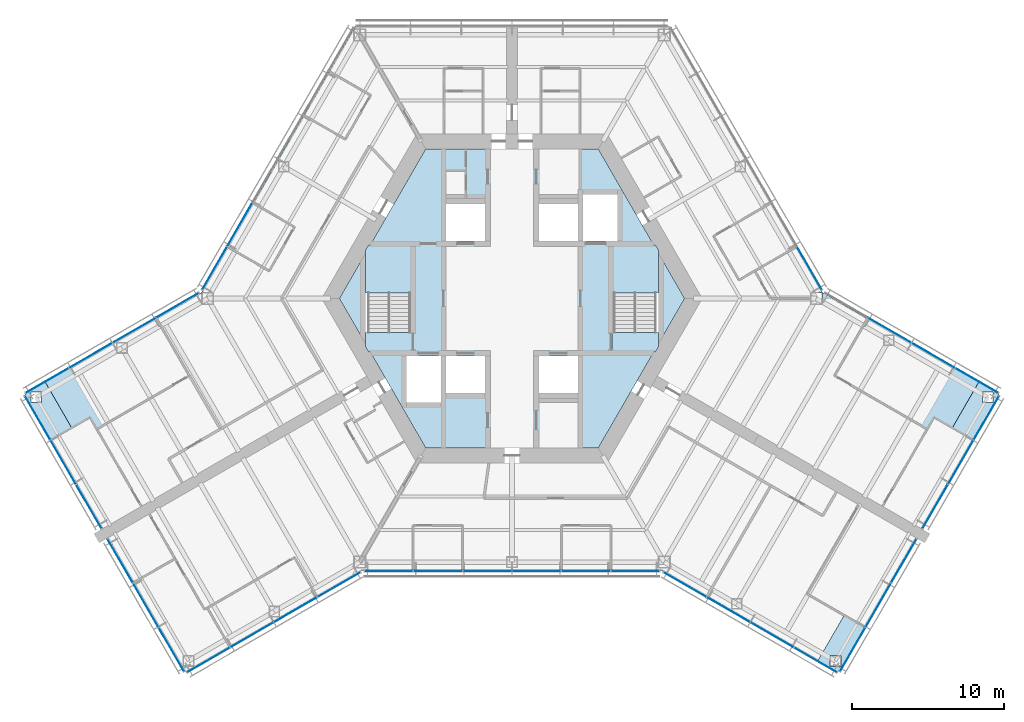
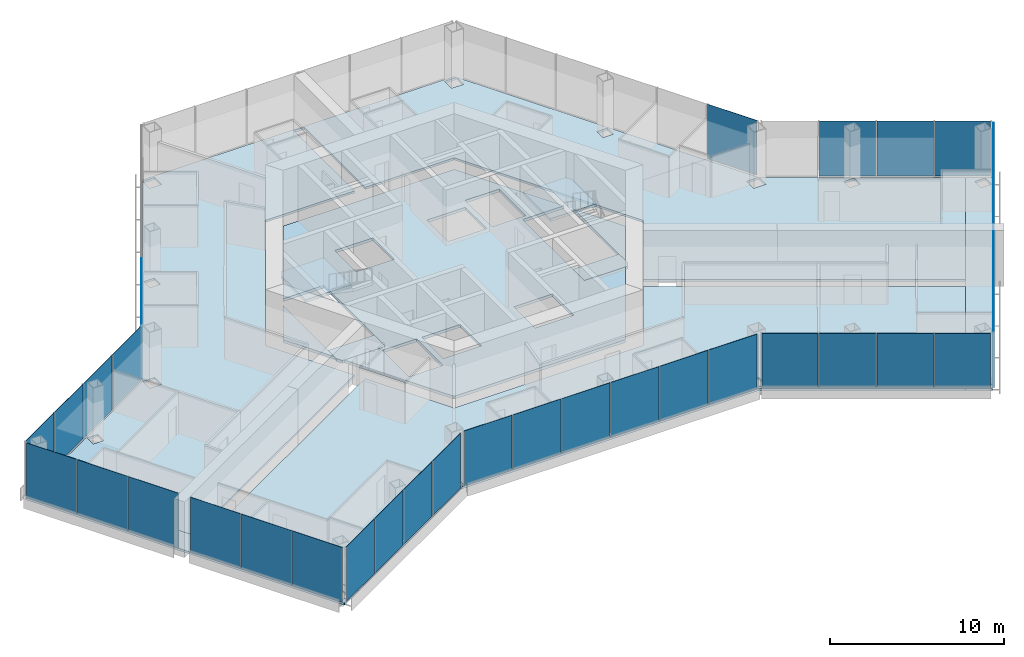
# One storey, part 10 of 18: 36 plates, 11 slabs, 13 elements without a shape of their own.
"""IFC4 building model written with IfcOpenShell, lengths in metres."""

from ifc_helpers import new_model, si_unit, direction, frame, origin, origin_2d, place, context, subcontext, project, spatial, polyline, rectangle, outline, extrude, material, layer, layer_set, type_object, element, aggregate, save


model = new_model("IFC4")

# Units and contexts
model_context = context("Model", 3, precision=1e-05, world=origin(), true_north=direction((0.0, 1.0)))
body_context = subcontext(model_context, "Body", "Model", "MODEL_VIEW")
ifc_project = project(units=[si_unit("LENGTHUNIT", "METRE"), si_unit("AREAUNIT", "SQUARE_METRE"), si_unit("VOLUMEUNIT", "CUBIC_METRE"), si_unit("PLANEANGLEUNIT", "RADIAN"), si_unit("MASSUNIT", "GRAM", prefix="KILO")], contexts=[model_context])

# Site, building, storey
site_placement = place(None, origin())
site = spatial("IfcSite", under=ifc_project, at=site_placement, CompositionType="ELEMENT")
building_placement = place(site_placement, origin())
building = spatial("IfcBuilding", under=site, at=building_placement, Name="Kasaneha Research Tower", CompositionType="ELEMENT")
storey_placement = place(building_placement, frame((0.0, 0.0, 183.800048828125)))
storey = spatial("IfcBuildingStorey", under=building, at=storey_placement, Name="L46", CompositionType="ELEMENT", Elevation=183.800048828125)

# Curtain wall, plates
ifc_material_1 = material(Name="Glass and aluminium", Category="aluminium")
curtain_wall_type = type_object("IfcCurtainWallType", Name="Mid-rise office curtain wall", PredefinedType="USERDEFINED", material=ifc_material_1)
curtain_wall_1_placement = place(storey_placement, origin())
curtain_wall_1 = element("IfcCurtainWall", 1, at=curtain_wall_1_placement, inside=storey, type_object=curtain_wall_type, Name="CW-O2 L46 run 01a", ObjectType="UNITISED CURTAIN WALL", PredefinedType="USERDEFINED")
ifc_material_2 = material(Name="Laminated double glazing", Category="glass")
ifc_layer_1 = layer(ifc_material_2, 0.02587890625)
ifc_layer_set_1 = layer_set([ifc_layer_1], Name="CW-O2 glazed panel")
plate_type = type_object("IfcPlateType", Name="CW-O2 glazed panel", PredefinedType="CURTAIN_PANEL", material=ifc_layer_set_1)
plate_1_placement = place(storey_placement, frame((-8.10107421875, -17.92041015625, 0.06005859375), z_axis=(0.0, 0.0, 1.0), x_axis=(1.0, 0.0, 0.0)))
plate_1 = element("IfcPlate", 2, at=plate_1_placement, type_object=plate_type, Name="CW-O2 panel 1", PredefinedType="CURTAIN_PANEL", context=body_context, shape_type="SweptSolid", body=[
    extrude(rectangle(XDim=3.156494140625, YDim=0.02587890625, at=origin_2d()), origin(), (0.0, 0.0, 1.0), 3.840087890625),
])
plate_2_placement = place(storey_placement, frame((-4.86962890625, -17.92041015625, 0.06005859375), z_axis=(0.0, 0.0, 1.0), x_axis=(1.0, 0.0, 0.0)))
plate_2 = element("IfcPlate", 3, at=plate_2_placement, type_object=plate_type, Name="CW-O2 panel 2", PredefinedType="CURTAIN_PANEL", context=body_context, shape_type="SweptSolid", body=[
    extrude(rectangle(XDim=3.1865234375, YDim=0.02587890625, at=origin_2d()), origin(), (0.0, 0.0, 1.0), 3.840087890625),
])
plate_3_placement = place(storey_placement, frame((-1.623291015625, -17.92041015625, 0.06005859375), z_axis=(0.0, 0.0, 1.0), x_axis=(1.0, 0.0, 0.0)))
plate_3 = element("IfcPlate", 4, at=plate_3_placement, type_object=plate_type, Name="CW-O2 panel 3", PredefinedType="CURTAIN_PANEL", context=body_context, shape_type="SweptSolid", body=[
    extrude(rectangle(XDim=3.1865234375, YDim=0.02587890625, at=origin_2d()), origin(), (0.0, 0.0, 1.0), 3.840087890625),
])
plate_4_placement = place(storey_placement, frame((1.623291015625, -17.92041015625, 0.06005859375), z_axis=(0.0, 0.0, 1.0), x_axis=(1.0, 0.0, 0.0)))
plate_4 = element("IfcPlate", 5, at=plate_4_placement, type_object=plate_type, Name="CW-O2 panel 4", PredefinedType="CURTAIN_PANEL", context=body_context, shape_type="SweptSolid", body=[
    extrude(rectangle(XDim=3.1865234375, YDim=0.02587890625, at=origin_2d()), origin(), (0.0, 0.0, 1.0), 3.840087890625),
])
plate_5_placement = place(storey_placement, frame((4.86962890625, -17.92041015625, 0.06005859375), z_axis=(0.0, 0.0, 1.0), x_axis=(1.0, 0.0, 0.0)))
plate_5 = element("IfcPlate", 6, at=plate_5_placement, type_object=plate_type, Name="CW-O2 panel 5", PredefinedType="CURTAIN_PANEL", context=body_context, shape_type="SweptSolid", body=[
    extrude(rectangle(XDim=3.1865234375, YDim=0.02587890625, at=origin_2d()), origin(), (0.0, 0.0, 1.0), 3.840087890625),
])
plate_6_placement = place(storey_placement, frame((8.10107421875, -17.92041015625, 0.06005859375), z_axis=(0.0, 0.0, 1.0), x_axis=(1.0, 0.0, 0.0)))
plate_6 = element("IfcPlate", 7, at=plate_6_placement, type_object=plate_type, Name="CW-O2 panel 6", PredefinedType="CURTAIN_PANEL", context=body_context, shape_type="SweptSolid", body=[
    extrude(rectangle(XDim=3.156494140625, YDim=0.02587890625, at=origin_2d()), origin(), (0.0, 0.0, 1.0), 3.840087890625),
])
aggregate(curtain_wall_1, [plate_1, plate_2, plate_3, plate_4, plate_5, plate_6])

curtain_wall_2_placement = place(storey_placement, origin())
curtain_wall_2 = element("IfcCurtainWall", 8, at=curtain_wall_2_placement, inside=storey, type_object=curtain_wall_type, Name="CW-O2 L46 run 02a", ObjectType="UNITISED CURTAIN WALL", PredefinedType="USERDEFINED")
plate_7_placement = place(storey_placement, frame((11.3720703125, -18.805419921875, 0.06005859375), z_axis=(0.0, 0.0, 1.0), x_axis=(0.866025411464, -0.499999986699, 0.0)))
plate_7 = element("IfcPlate", 9, at=plate_7_placement, type_object=plate_type, Name="CW-O2 panel 1", PredefinedType="CURTAIN_PANEL", context=body_context, shape_type="SweptSolid", body=[
    extrude(rectangle(XDim=3.2197265625, YDim=0.02587890625, at=origin_2d()), origin(), (0.0, 0.0, 1.0), 3.840087890625),
])
plate_8_placement = place(storey_placement, frame((14.225341796875, -20.452880859375, 0.06005859375), z_axis=(0.0, 0.0, 1.0), x_axis=(0.866025411464, -0.499999986699, 0.0)))
plate_8 = element("IfcPlate", 10, at=plate_8_placement, type_object=plate_type, Name="CW-O2 panel 2", PredefinedType="CURTAIN_PANEL", context=body_context, shape_type="SweptSolid", body=[
    extrude(rectangle(XDim=3.249755859375, YDim=0.02587890625, at=origin_2d()), origin(), (0.0, 0.0, 1.0), 3.840087890625),
])
plate_9_placement = place(storey_placement, frame((17.091796875, -22.107666015625, 0.06005859375), z_axis=(0.0, 0.0, 1.0), x_axis=(0.866025411464, -0.499999986699, 0.0)))
plate_9 = element("IfcPlate", 11, at=plate_9_placement, type_object=plate_type, Name="CW-O2 panel 3", PredefinedType="CURTAIN_PANEL", context=body_context, shape_type="SweptSolid", body=[
    extrude(rectangle(XDim=3.249755859375, YDim=0.02587890625, at=origin_2d()), origin(), (0.0, 0.0, 1.0), 3.840087890625),
])
plate_10_placement = place(storey_placement, frame((19.945068359375, -23.755126953125, 0.06005859375), z_axis=(0.0, 0.0, 1.0), x_axis=(0.866025411464, -0.499999986699, 0.0)))
plate_10 = element("IfcPlate", 12, at=plate_10_placement, type_object=plate_type, Name="CW-O2 panel 4", PredefinedType="CURTAIN_PANEL", context=body_context, shape_type="SweptSolid", body=[
    extrude(rectangle(XDim=3.2197265625, YDim=0.02587890625, at=origin_2d()), origin(), (0.0, 0.0, 1.0), 3.840087890625),
])
aggregate(curtain_wall_2, [plate_7, plate_8, plate_9, plate_10])

curtain_wall_3_placement = place(storey_placement, origin())
curtain_wall_3 = element("IfcCurtainWall", 13, at=curtain_wall_3_placement, inside=storey, type_object=curtain_wall_type, Name="CW-O2 L46 run 03a", ObjectType="UNITISED CURTAIN WALL", PredefinedType="USERDEFINED")
plate_11_placement = place(storey_placement, frame((22.38134765625, -23.075439453125, 0.06005859375), z_axis=(0.0, 0.0, 1.0), x_axis=(0.500000011442, 0.866025397178, 0.0)))
plate_11 = element("IfcPlate", 14, at=plate_11_placement, type_object=plate_type, Name="CW-O2 panel 1", PredefinedType="CURTAIN_PANEL", context=body_context, shape_type="SweptSolid", body=[
    extrude(rectangle(XDim=3.293212890625, YDim=0.02587890625, at=origin_2d()), origin(), (0.0, 0.0, 1.0), 3.840087890625),
])
plate_12_placement = place(storey_placement, frame((24.0654296875, -20.158447265625, 0.06005859375), z_axis=(0.0, 0.0, 1.0), x_axis=(0.500000011442, 0.866025397178, 0.0)))
plate_12 = element("IfcPlate", 15, at=plate_12_placement, type_object=plate_type, Name="CW-O2 panel 2", PredefinedType="CURTAIN_PANEL", context=body_context, shape_type="SweptSolid", body=[
    extrude(rectangle(XDim=3.3232421875, YDim=0.02587890625, at=origin_2d()), origin(), (0.0, 0.0, 1.0), 3.840087890625),
])
plate_13_placement = place(storey_placement, frame((25.74951171875, -17.241455078125, 0.06005859375), z_axis=(0.0, 0.0, 1.0), x_axis=(0.500000011442, 0.866025397178, 0.0)))
plate_13 = element("IfcPlate", 16, at=plate_13_placement, type_object=plate_type, Name="CW-O2 panel 3", PredefinedType="CURTAIN_PANEL", context=body_context, shape_type="SweptSolid", body=[
    extrude(rectangle(XDim=3.293212890625, YDim=0.02587890625, at=origin_2d()), origin(), (0.0, 0.0, 1.0), 3.840087890625),
])
aggregate(curtain_wall_3, [plate_11, plate_12, plate_13])

curtain_wall_4_placement = place(storey_placement, origin())
curtain_wall_4 = element("IfcCurtainWall", 17, at=curtain_wall_4_placement, inside=storey, type_object=curtain_wall_type, Name="CW-O2 L46 run 04a", ObjectType="UNITISED CURTAIN WALL", PredefinedType="USERDEFINED")
plate_14_placement = place(storey_placement, frame((27.806396484375, -13.67919921875, 0.06005859375), z_axis=(0.0, 0.0, 1.0), x_axis=(0.500000011442, 0.866025397178, 0.0)))
plate_14 = element("IfcPlate", 18, at=plate_14_placement, type_object=plate_type, Name="CW-O2 panel 1", PredefinedType="CURTAIN_PANEL", context=body_context, shape_type="SweptSolid", body=[
    extrude(rectangle(XDim=3.293212890625, YDim=0.02587890625, at=origin_2d()), origin(), (0.0, 0.0, 1.0), 3.840087890625),
])
plate_15_placement = place(storey_placement, frame((29.490478515625, -10.761962890625, 0.06005859375), z_axis=(0.0, 0.0, 1.0), x_axis=(0.500000011442, 0.866025397178, 0.0)))
plate_15 = element("IfcPlate", 19, at=plate_15_placement, type_object=plate_type, Name="CW-O2 panel 2", PredefinedType="CURTAIN_PANEL", context=body_context, shape_type="SweptSolid", body=[
    extrude(rectangle(XDim=3.3232421875, YDim=0.02587890625, at=origin_2d()), origin(), (0.0, 0.0, 1.0), 3.840087890625),
])
plate_16_placement = place(storey_placement, frame((31.174560546875, -7.844970703125, 0.06005859375), z_axis=(0.0, 0.0, 1.0), x_axis=(0.500000011442, 0.866025397178, 0.0)))
plate_16 = element("IfcPlate", 20, at=plate_16_placement, type_object=plate_type, Name="CW-O2 panel 3", PredefinedType="CURTAIN_PANEL", context=body_context, shape_type="SweptSolid", body=[
    extrude(rectangle(XDim=3.293212890625, YDim=0.02587890625, at=origin_2d()), origin(), (0.0, 0.0, 1.0), 3.840087890625),
])
aggregate(curtain_wall_4, [plate_14, plate_15, plate_16])

curtain_wall_5_placement = place(storey_placement, origin())
curtain_wall_5 = element("IfcCurtainWall", 21, at=curtain_wall_5_placement, inside=storey, type_object=curtain_wall_type, Name="CW-O2 L46 run 05a", ObjectType="UNITISED CURTAIN WALL", PredefinedType="USERDEFINED")
plate_17_placement = place(storey_placement, frame((30.545166015625, -5.3955078125, 0.06005859375), z_axis=(0.0, 0.0, 1.0), x_axis=(-0.866025411464, 0.499999986699, 0.0)))
plate_17 = element("IfcPlate", 22, at=plate_17_placement, type_object=plate_type, Name="CW-O2 panel 1", PredefinedType="CURTAIN_PANEL", context=body_context, shape_type="SweptSolid", body=[
    extrude(rectangle(XDim=3.2197265625, YDim=0.02587890625, at=origin_2d()), origin(), (0.0, 0.0, 1.0), 3.840087890625),
])
plate_18_placement = place(storey_placement, frame((27.69189453125, -3.748046875, 0.06005859375), z_axis=(0.0, 0.0, 1.0), x_axis=(-0.866025411464, 0.499999986699, 0.0)))
plate_18 = element("IfcPlate", 23, at=plate_18_placement, type_object=plate_type, Name="CW-O2 panel 2", PredefinedType="CURTAIN_PANEL", context=body_context, shape_type="SweptSolid", body=[
    extrude(rectangle(XDim=3.249755859375, YDim=0.02587890625, at=origin_2d()), origin(), (0.0, 0.0, 1.0), 3.840087890625),
])
plate_19_placement = place(storey_placement, frame((24.825439453125, -2.093017578125, 0.06005859375), z_axis=(0.0, 0.0, 1.0), x_axis=(-0.866025411464, 0.499999986699, 0.0)))
plate_19 = element("IfcPlate", 24, at=plate_19_placement, type_object=plate_type, Name="CW-O2 panel 3", PredefinedType="CURTAIN_PANEL", context=body_context, shape_type="SweptSolid", body=[
    extrude(rectangle(XDim=3.249755859375, YDim=0.02587890625, at=origin_2d()), origin(), (0.0, 0.0, 1.0), 3.840087890625),
])
aggregate(curtain_wall_5, [plate_17, plate_18, plate_19])

# Curtain wall, plate
curtain_wall_6_placement = place(storey_placement, origin())
curtain_wall_6 = element("IfcCurtainWall", 25, at=curtain_wall_6_placement, inside=storey, type_object=curtain_wall_type, Name="CW-O2 L46 run 06a", ObjectType="UNITISED CURTAIN WALL", PredefinedType="USERDEFINED")
plate_20_placement = place(storey_placement, frame((19.549072265625, 1.981201171875, 0.06005859375), z_axis=(0.0, 0.0, 1.0), x_axis=(-0.499999979232, 0.866025415775, 0.0)))
plate_20 = element("IfcPlate", 26, at=plate_20_placement, type_object=plate_type, Name="CW-O2 panel 1", PredefinedType="CURTAIN_PANEL", context=body_context, shape_type="SweptSolid", body=[
    extrude(rectangle(XDim=3.240966796875, YDim=0.02587890625, at=origin_2d()), origin(), (0.0, 0.0, 1.0), 3.840087890625),
])
aggregate(curtain_wall_6, [plate_20])

# Curtain wall, plates
curtain_wall_7_placement = place(storey_placement, origin())
curtain_wall_7 = element("IfcCurtainWall", 27, at=curtain_wall_7_placement, inside=storey, type_object=curtain_wall_type, Name="CW-O2 L46 run 08a", ObjectType="UNITISED CURTAIN WALL", PredefinedType="USERDEFINED")
plate_21_placement = place(storey_placement, frame((-17.89111328125, 4.852783203125, 0.06005859375), z_axis=(0.0, 0.0, 1.0), x_axis=(-0.499999979232, -0.866025415775, 0.0)))
plate_21 = element("IfcPlate", 28, at=plate_21_placement, type_object=plate_type, Name="CW-O2 panel 5", PredefinedType="CURTAIN_PANEL", context=body_context, shape_type="SweptSolid", body=[
    extrude(rectangle(XDim=3.27099609375, YDim=0.02587890625, at=origin_2d()), origin(), (0.0, 0.0, 1.0), 3.840087890625),
])
plate_22_placement = place(storey_placement, frame((-19.549072265625, 1.981201171875, 0.06005859375), z_axis=(0.0, 0.0, 1.0), x_axis=(-0.499999979232, -0.866025415775, 0.0)))
plate_22 = element("IfcPlate", 29, at=plate_22_placement, type_object=plate_type, Name="CW-O2 panel 6", PredefinedType="CURTAIN_PANEL", context=body_context, shape_type="SweptSolid", body=[
    extrude(rectangle(XDim=3.240966796875, YDim=0.02587890625, at=origin_2d()), origin(), (0.0, 0.0, 1.0), 3.840087890625),
])
aggregate(curtain_wall_7, [plate_21, plate_22])

curtain_wall_8_placement = place(storey_placement, origin())
curtain_wall_8 = element("IfcCurtainWall", 30, at=curtain_wall_8_placement, inside=storey, type_object=curtain_wall_type, Name="CW-O2 L46 run 09a", ObjectType="UNITISED CURTAIN WALL", PredefinedType="USERDEFINED")
plate_23_placement = place(storey_placement, frame((-21.971923828125, -0.44580078125, 0.06005859375), z_axis=(0.0, 0.0, 1.0), x_axis=(-0.866025411464, -0.499999986699, 0.0)))
plate_23 = element("IfcPlate", 31, at=plate_23_placement, type_object=plate_type, Name="CW-O2 panel 1", PredefinedType="CURTAIN_PANEL", context=body_context, shape_type="SweptSolid", body=[
    extrude(rectangle(XDim=3.2197265625, YDim=0.02587890625, at=origin_2d()), origin(), (0.0, 0.0, 1.0), 3.840087890625),
])
plate_24_placement = place(storey_placement, frame((-24.825439453125, -2.093017578125, 0.06005859375), z_axis=(0.0, 0.0, 1.0), x_axis=(-0.866025411464, -0.499999986699, 0.0)))
plate_24 = element("IfcPlate", 32, at=plate_24_placement, type_object=plate_type, Name="CW-O2 panel 2", PredefinedType="CURTAIN_PANEL", context=body_context, shape_type="SweptSolid", body=[
    extrude(rectangle(XDim=3.249755859375, YDim=0.02587890625, at=origin_2d()), origin(), (0.0, 0.0, 1.0), 3.840087890625),
])
plate_25_placement = place(storey_placement, frame((-27.69189453125, -3.748046875, 0.06005859375), z_axis=(0.0, 0.0, 1.0), x_axis=(-0.866025411464, -0.499999986699, 0.0)))
plate_25 = element("IfcPlate", 33, at=plate_25_placement, type_object=plate_type, Name="CW-O2 panel 3", PredefinedType="CURTAIN_PANEL", context=body_context, shape_type="SweptSolid", body=[
    extrude(rectangle(XDim=3.249755859375, YDim=0.02587890625, at=origin_2d()), origin(), (0.0, 0.0, 1.0), 3.840087890625),
])
plate_26_placement = place(storey_placement, frame((-30.545166015625, -5.3955078125, 0.06005859375), z_axis=(0.0, 0.0, 1.0), x_axis=(-0.866025411464, -0.499999986699, 0.0)))
plate_26 = element("IfcPlate", 34, at=plate_26_placement, type_object=plate_type, Name="CW-O2 panel 4", PredefinedType="CURTAIN_PANEL", context=body_context, shape_type="SweptSolid", body=[
    extrude(rectangle(XDim=3.2197265625, YDim=0.02587890625, at=origin_2d()), origin(), (0.0, 0.0, 1.0), 3.840087890625),
])
aggregate(curtain_wall_8, [plate_23, plate_24, plate_25, plate_26])

curtain_wall_9_placement = place(storey_placement, origin())
curtain_wall_9 = element("IfcCurtainWall", 35, at=curtain_wall_9_placement, inside=storey, type_object=curtain_wall_type, Name="CW-O2 L46 run 10a", ObjectType="UNITISED CURTAIN WALL", PredefinedType="USERDEFINED")
plate_27_placement = place(storey_placement, frame((-31.174560546875, -7.844970703125, 0.06005859375), z_axis=(0.0, 0.0, 1.0), x_axis=(0.500000011442, -0.866025397178, 0.0)))
plate_27 = element("IfcPlate", 36, at=plate_27_placement, type_object=plate_type, Name="CW-O2 panel 1", PredefinedType="CURTAIN_PANEL", context=body_context, shape_type="SweptSolid", body=[
    extrude(rectangle(XDim=3.293212890625, YDim=0.02587890625, at=origin_2d()), origin(), (0.0, 0.0, 1.0), 3.840087890625),
])
plate_28_placement = place(storey_placement, frame((-29.490478515625, -10.761962890625, 0.06005859375), z_axis=(0.0, 0.0, 1.0), x_axis=(0.500000011442, -0.866025397178, 0.0)))
plate_28 = element("IfcPlate", 37, at=plate_28_placement, type_object=plate_type, Name="CW-O2 panel 2", PredefinedType="CURTAIN_PANEL", context=body_context, shape_type="SweptSolid", body=[
    extrude(rectangle(XDim=3.3232421875, YDim=0.02587890625, at=origin_2d()), origin(), (0.0, 0.0, 1.0), 3.840087890625),
])
plate_29_placement = place(storey_placement, frame((-27.806396484375, -13.67919921875, 0.06005859375), z_axis=(0.0, 0.0, 1.0), x_axis=(0.500000011442, -0.866025397178, 0.0)))
plate_29 = element("IfcPlate", 38, at=plate_29_placement, type_object=plate_type, Name="CW-O2 panel 3", PredefinedType="CURTAIN_PANEL", context=body_context, shape_type="SweptSolid", body=[
    extrude(rectangle(XDim=3.293212890625, YDim=0.02587890625, at=origin_2d()), origin(), (0.0, 0.0, 1.0), 3.840087890625),
])
aggregate(curtain_wall_9, [plate_27, plate_28, plate_29])

curtain_wall_10_placement = place(storey_placement, origin())
curtain_wall_10 = element("IfcCurtainWall", 39, at=curtain_wall_10_placement, inside=storey, type_object=curtain_wall_type, Name="CW-O2 L46 run 11a", ObjectType="UNITISED CURTAIN WALL", PredefinedType="USERDEFINED")
plate_30_placement = place(storey_placement, frame((-25.74951171875, -17.241455078125, 0.06005859375), z_axis=(0.0, 0.0, 1.0), x_axis=(0.500000011442, -0.866025397178, 0.0)))
plate_30 = element("IfcPlate", 40, at=plate_30_placement, type_object=plate_type, Name="CW-O2 panel 1", PredefinedType="CURTAIN_PANEL", context=body_context, shape_type="SweptSolid", body=[
    extrude(rectangle(XDim=3.293212890625, YDim=0.02587890625, at=origin_2d()), origin(), (0.0, 0.0, 1.0), 3.840087890625),
])
plate_31_placement = place(storey_placement, frame((-24.0654296875, -20.158447265625, 0.06005859375), z_axis=(0.0, 0.0, 1.0), x_axis=(0.500000011442, -0.866025397178, 0.0)))
plate_31 = element("IfcPlate", 41, at=plate_31_placement, type_object=plate_type, Name="CW-O2 panel 2", PredefinedType="CURTAIN_PANEL", context=body_context, shape_type="SweptSolid", body=[
    extrude(rectangle(XDim=3.3232421875, YDim=0.02587890625, at=origin_2d()), origin(), (0.0, 0.0, 1.0), 3.840087890625),
])
plate_32_placement = place(storey_placement, frame((-22.38134765625, -23.075439453125, 0.06005859375), z_axis=(0.0, 0.0, 1.0), x_axis=(0.500000011442, -0.866025397178, 0.0)))
plate_32 = element("IfcPlate", 42, at=plate_32_placement, type_object=plate_type, Name="CW-O2 panel 3", PredefinedType="CURTAIN_PANEL", context=body_context, shape_type="SweptSolid", body=[
    extrude(rectangle(XDim=3.293212890625, YDim=0.02587890625, at=origin_2d()), origin(), (0.0, 0.0, 1.0), 3.840087890625),
])
aggregate(curtain_wall_10, [plate_30, plate_31, plate_32])

curtain_wall_11_placement = place(storey_placement, origin())
curtain_wall_11 = element("IfcCurtainWall", 43, at=curtain_wall_11_placement, inside=storey, type_object=curtain_wall_type, Name="CW-O2 L46 run 12a", ObjectType="UNITISED CURTAIN WALL", PredefinedType="USERDEFINED")
plate_33_placement = place(storey_placement, frame((-19.945068359375, -23.755126953125, 0.06005859375), z_axis=(0.0, 0.0, 1.0), x_axis=(0.866025411464, 0.499999986699, 0.0)))
plate_33 = element("IfcPlate", 44, at=plate_33_placement, type_object=plate_type, Name="CW-O2 panel 1", PredefinedType="CURTAIN_PANEL", context=body_context, shape_type="SweptSolid", body=[
    extrude(rectangle(XDim=3.2197265625, YDim=0.02587890625, at=origin_2d()), origin(), (0.0, 0.0, 1.0), 3.840087890625),
])
plate_34_placement = place(storey_placement, frame((-17.091796875, -22.107666015625, 0.06005859375), z_axis=(0.0, 0.0, 1.0), x_axis=(0.866025411464, 0.499999986699, 0.0)))
plate_34 = element("IfcPlate", 45, at=plate_34_placement, type_object=plate_type, Name="CW-O2 panel 2", PredefinedType="CURTAIN_PANEL", context=body_context, shape_type="SweptSolid", body=[
    extrude(rectangle(XDim=3.249755859375, YDim=0.02587890625, at=origin_2d()), origin(), (0.0, 0.0, 1.0), 3.840087890625),
])
plate_35_placement = place(storey_placement, frame((-14.225341796875, -20.452880859375, 0.06005859375), z_axis=(0.0, 0.0, 1.0), x_axis=(0.866025411464, 0.499999986699, 0.0)))
plate_35 = element("IfcPlate", 46, at=plate_35_placement, type_object=plate_type, Name="CW-O2 panel 3", PredefinedType="CURTAIN_PANEL", context=body_context, shape_type="SweptSolid", body=[
    extrude(rectangle(XDim=3.249755859375, YDim=0.02587890625, at=origin_2d()), origin(), (0.0, 0.0, 1.0), 3.840087890625),
])
plate_36_placement = place(storey_placement, frame((-11.3720703125, -18.805419921875, 0.06005859375), z_axis=(0.0, 0.0, 1.0), x_axis=(0.866025411464, 0.499999986699, 0.0)))
plate_36 = element("IfcPlate", 47, at=plate_36_placement, type_object=plate_type, Name="CW-O2 panel 4", PredefinedType="CURTAIN_PANEL", context=body_context, shape_type="SweptSolid", body=[
    extrude(rectangle(XDim=3.2197265625, YDim=0.02587890625, at=origin_2d()), origin(), (0.0, 0.0, 1.0), 3.840087890625),
])
aggregate(curtain_wall_11, [plate_33, plate_34, plate_35, plate_36])

# Slabs
ifc_material_3 = material(Name="Concrete Fc24", Category="concrete")
ifc_layer_2 = layer(ifc_material_3, 0.199951171875)
ifc_layer_set_2 = layer_set([ifc_layer_2], Name="Core floor slab 200")
slab_type_1 = type_object("IfcSlabType", Name="Core floor slab 200", PredefinedType="FLOOR", material=ifc_layer_set_2)
slab_1_placement = place(storey_placement, frame((0.0, 0.0, -0.199951171875)))
element("IfcSlab", 48, at=slab_1_placement, inside=storey, type_object=slab_type_1, Name="Core slab L46", PredefinedType="FLOOR", context=body_context, shape_type="SweptSolid", body=[
    extrude(outline(polyline([(-11.344970703125, 0.0), (-9.625, 2.97900390625), (-9.625, -2.97900390625), (-11.344970703125, 0.0)])), origin(), (0.0, 0.0, 1.0), 0.199951171875),
])
slab_2_placement = place(storey_placement, frame((0.0, 0.0, -0.199951171875)))
element("IfcSlab", 49, at=slab_2_placement, inside=storey, type_object=slab_type_1, Name="Core slab L46", PredefinedType="FLOOR", context=body_context, shape_type="SweptSolid", body=[
    extrude(outline(polyline([(-5.67236328125, 9.824951171875), (5.67236328125, 9.824951171875), (9.309814453125, 3.52490234375), (6.574951171875, 3.52490234375), (6.574951171875, -3.52490234375), (9.309814453125, -3.52490234375), (5.67236328125, -9.824951171875), (-5.67236328125, -9.824951171875), (-9.309814453125, -3.52490234375), (-6.574951171875, -3.52490234375), (-6.574951171875, 3.52490234375), (-9.309814453125, 3.52490234375), (-5.67236328125, 9.824951171875)]), holes=[polyline([(-6.925048828125, -3.77490234375), (-6.925048828125, -6.824951171875), (-4.675048828125, -6.824951171875), (-4.675048828125, -3.77490234375), (-6.925048828125, -3.77490234375)]), polyline([(-4.324951171875, -3.77490234375), (-4.324951171875, -6.22509765625), (-1.77490234375, -6.22509765625), (-1.77490234375, -3.77490234375), (-4.324951171875, -3.77490234375)]), polyline([(1.77490234375, -3.77490234375), (1.77490234375, -6.22509765625), (4.324951171875, -6.22509765625), (4.324951171875, -3.77490234375), (1.77490234375, -3.77490234375)]), polyline([(-4.324951171875, 6.22509765625), (-4.324951171875, 3.77490234375), (-1.77490234375, 3.77490234375), (-1.77490234375, 6.22509765625), (-4.324951171875, 6.22509765625)]), polyline([(1.77490234375, 6.22509765625), (1.77490234375, 3.77490234375), (4.324951171875, 3.77490234375), (4.324951171875, 6.22509765625), (1.77490234375, 6.22509765625)]), polyline([(4.675048828125, 6.824951171875), (4.675048828125, 3.77490234375), (6.925048828125, 3.77490234375), (6.925048828125, 6.824951171875), (4.675048828125, 6.824951171875)])]), origin(), (0.0, 0.0, 1.0), 0.199951171875),
])
slab_3_placement = place(storey_placement, frame((0.0, 0.0, -0.199951171875)))
element("IfcSlab", 50, at=slab_3_placement, inside=storey, type_object=slab_type_1, Name="Core slab L46", PredefinedType="FLOOR", context=body_context, shape_type="SweptSolid", body=[
    extrude(outline(polyline([(11.344970703125, 0.0), (9.625, -2.97900390625), (9.625, 2.97900390625), (11.344970703125, 0.0)])), origin(), (0.0, 0.0, 1.0), 0.199951171875),
])
ifc_material_4 = material(Name="Concrete Fc24", Category="concrete")
ifc_layer_3 = layer(ifc_material_4, 0.14990234375)
ifc_layer_set_3 = layer_set([ifc_layer_3], Name="Floor slab 150")
slab_type_2 = type_object("IfcSlabType", Name="Floor slab 150", PredefinedType="FLOOR", material=ifc_layer_set_3)
slab_4_placement = place(storey_placement, frame((0.0, 0.0, -0.150146484375)))
element("IfcSlab", 51, at=slab_4_placement, inside=storey, type_object=slab_type_2, Name="Floor slab L46 1", PredefinedType="FLOOR", context=body_context, shape_type="SweptSolid", body=[
    extrude(outline(polyline([(-32.009521484375, -6.298583984375), (-30.65869140625, -5.518798828125), (-25.55859375, -14.35205078125), (-25.5673828125, -14.357177734375), (-25.21728515625, -14.96337890625), (-25.208740234375, -14.958251953125), (-20.108642578125, -23.791748046875), (-21.459716796875, -24.57177734375), (-32.009521484375, -6.298583984375)]), holes=[polyline([(-20.908447265625, -24.17041015625), (-20.908447265625, -23.470458984375), (-21.6083984375, -23.470458984375), (-21.6083984375, -24.17041015625), (-20.908447265625, -24.17041015625)]), polyline([(-30.908447265625, -6.85009765625), (-30.908447265625, -6.14990234375), (-31.6083984375, -6.14990234375), (-31.6083984375, -6.85009765625), (-30.908447265625, -6.85009765625)])]), origin(), (0.0, 0.0, 1.0), 0.150146484375),
])
slab_5_placement = place(storey_placement, frame((0.0, 0.0, -0.150146484375)))
element("IfcSlab", 52, at=slab_5_placement, inside=storey, type_object=slab_type_2, Name="Floor slab L46 2", PredefinedType="FLOOR", context=body_context, shape_type="SweptSolid", body=[
    extrude(outline(polyline([(9.8525390625, -17.87060546875), (-9.8525390625, -17.87060546875), (-20.108642578125, -23.791748046875), (-25.208740234375, -14.958251953125), (-9.19970703125, -5.715576171875), (-6.249755859375, -10.824951171875), (6.249755859375, -10.824951171875), (9.19970703125, -5.715576171875), (25.208740234375, -14.958251953125), (20.108642578125, -23.791748046875), (9.8525390625, -17.87060546875)]), holes=[polyline([(-15.279052734375, -20.92041015625), (-15.279052734375, -20.220458984375), (-15.979248046875, -20.220458984375), (-15.979248046875, -20.92041015625), (-15.279052734375, -20.92041015625)]), polyline([(0.35009765625, -17.67041015625), (0.35009765625, -16.970458984375), (-0.35009765625, -16.970458984375), (-0.35009765625, -17.67041015625), (0.35009765625, -17.67041015625)]), polyline([(-10.39990234375, -17.720458984375), (-9.60009765625, -17.720458984375), (-9.60009765625, -16.92041015625), (-10.39990234375, -16.92041015625), (-10.39990234375, -17.720458984375)]), polyline([(15.113037109375, -20.42041015625), (15.113037109375, -19.720458984375), (14.4130859375, -19.720458984375), (14.4130859375, -20.42041015625), (15.113037109375, -20.42041015625)]), polyline([(9.60009765625, -17.720458984375), (10.39990234375, -17.720458984375), (10.39990234375, -16.92041015625), (9.60009765625, -16.92041015625), (9.60009765625, -17.720458984375)])]), origin(), (0.0, 0.0, 1.0), 0.150146484375),
])
slab_6_placement = place(storey_placement, frame((0.0, 0.0, -0.150146484375)))
element("IfcSlab", 53, at=slab_6_placement, inside=storey, type_object=slab_type_2, Name="Floor slab L46 3", PredefinedType="FLOOR", context=body_context, shape_type="SweptSolid", body=[
    extrude(outline(polyline([(-20.400146484375, -0.400146484375), (-19.599853515625, -0.400146484375), (-19.599853515625, 0.400146484375), (-20.385986328125, 0.400146484375), (-20.3974609375, 0.41162109375), (-10.40771484375, 17.714111328125), (-10.400146484375, 17.70654296875), (-10.400146484375, 16.92041015625), (-9.599853515625, 16.92041015625), (-9.599853515625, 17.720703125), (-10.385986328125, 17.720703125), (-10.3974609375, 17.732177734375), (-10.317626953125, 17.87060546875), (10.317626953125, 17.87060546875), (10.3974609375, 17.732177734375), (10.385986328125, 17.720703125), (9.599853515625, 17.720703125), (9.599853515625, 16.92041015625), (10.400146484375, 16.92041015625), (10.400146484375, 17.70654296875), (10.40771484375, 17.714111328125), (20.3974609375, 0.41162109375), (20.385986328125, 0.400146484375), (19.599853515625, 0.400146484375), (19.599853515625, -0.400146484375), (20.400146484375, -0.400146484375), (20.400146484375, 0.385986328125), (20.41162109375, 0.3974609375), (30.65869140625, -5.518798828125), (25.55859375, -14.35205078125), (9.5498046875, -5.109375), (12.49951171875, 0.0), (6.249755859375, 10.824951171875), (0.35009765625, 10.824951171875), (0.35009765625, 17.7705078125), (-0.35009765625, 17.7705078125), (-0.35009765625, 10.824951171875), (-6.249755859375, 10.824951171875), (-12.49951171875, 0.0), (-9.5498046875, -5.109375), (-25.55859375, -14.35205078125), (-30.65869140625, -5.518798828125), (-20.41162109375, 0.3974609375), (-20.400146484375, 0.385986328125), (-20.400146484375, -0.400146484375)]), holes=[polyline([(-25.279052734375, -3.60009765625), (-25.279052734375, -2.89990234375), (-25.979248046875, -2.89990234375), (-25.979248046875, -3.60009765625), (-25.279052734375, -3.60009765625)]), polyline([(-15.35009765625, 8.310302734375), (-14.64990234375, 8.310302734375), (-14.64990234375, 9.01025390625), (-15.35009765625, 9.01025390625), (-15.35009765625, 8.310302734375)]), polyline([(24.4130859375, -3.10009765625), (25.113037109375, -3.10009765625), (25.113037109375, -2.39990234375), (24.4130859375, -2.39990234375), (24.4130859375, -3.10009765625)]), polyline([(14.64990234375, 8.310302734375), (15.35009765625, 8.310302734375), (15.35009765625, 9.01025390625), (14.64990234375, 9.01025390625), (14.64990234375, 8.310302734375)])]), origin(), (0.0, 0.0, 1.0), 0.150146484375),
])
slab_7_placement = place(storey_placement, frame((0.0, 0.0, -0.150146484375)))
element("IfcSlab", 54, at=slab_7_placement, inside=storey, type_object=slab_type_2, Name="Floor slab L46 4", PredefinedType="FLOOR", context=body_context, shape_type="SweptSolid", body=[
    extrude(outline(polyline([(32.009521484375, -6.298583984375), (21.459716796875, -24.57177734375), (20.108642578125, -23.791748046875), (25.208740234375, -14.958251953125), (25.21728515625, -14.96337890625), (25.5673828125, -14.357177734375), (25.55859375, -14.35205078125), (30.65869140625, -5.518798828125), (32.009521484375, -6.298583984375)]), holes=[polyline([(21.6083984375, -24.17041015625), (21.6083984375, -23.470458984375), (20.908447265625, -23.470458984375), (20.908447265625, -24.17041015625), (21.6083984375, -24.17041015625)]), polyline([(31.6083984375, -6.85009765625), (31.6083984375, -6.14990234375), (30.908447265625, -6.14990234375), (30.908447265625, -6.85009765625), (31.6083984375, -6.85009765625)])]), origin(), (0.0, 0.0, 1.0), 0.150146484375),
])

# Stair, slabs
ifc_material_5 = material(Name="Concrete Fc24", Category="concrete")
stair_type = type_object("IfcStairType", Name="Half-turn stair 22 risers", PredefinedType="HALF_TURN_STAIR", material=ifc_material_5)
stair_1_placement = place(storey_placement, origin())
stair_1 = element("IfcStair", 55, at=stair_1_placement, inside=storey, type_object=stair_type, Name="Stair 1 L46", PredefinedType="HALF_TURN_STAIR")
ifc_material_6 = material(Name="Concrete Fc24", Category="concrete")
ifc_layer_4 = layer(ifc_material_6, 0.199951171875)
ifc_layer_set_4 = layer_set([ifc_layer_4], Name="Stair 1 landing 200")
slab_type_3 = type_object("IfcSlabType", Name="Stair 1 landing 200", PredefinedType="LANDING", material=ifc_layer_set_4)
slab_8_placement = place(storey_placement, frame((0.0, 0.0, -0.199951171875)))
slab_8 = element("IfcSlab", 56, at=slab_8_placement, type_object=slab_type_3, Name="ST1-22R landing 1", PredefinedType="LANDING", context=body_context, shape_type="SweptSolid", body=[
    extrude(outline(polyline([(9.42529296875, -3.52490234375), (6.574951171875, -3.52490234375), (6.574951171875, -2.22509765625), (9.625, -2.22509765625), (9.625, -3.178955078125), (9.42529296875, -3.52490234375)])), origin(), (0.0, 0.0, 1.0), 0.199951171875),
])
slab_9_placement = place(storey_placement, frame((0.0, 0.0, 1.75)))
slab_9 = element("IfcSlab", 57, at=slab_9_placement, type_object=slab_type_3, Name="ST1-22R landing 2", PredefinedType="LANDING", context=body_context, shape_type="SweptSolid", body=[
    extrude(outline(polyline([(6.574951171875, 3.52490234375), (9.42529296875, 3.52490234375), (9.625, 3.178955078125), (9.625, 0.375), (6.574951171875, 0.375), (6.574951171875, 3.52490234375)])), origin(), (0.0, 0.0, 1.0), 0.199951171875),
])
aggregate(stair_1, [slab_8, slab_9])

stair_2_placement = place(storey_placement, origin())
stair_2 = element("IfcStair", 58, at=stair_2_placement, inside=storey, type_object=stair_type, Name="Stair 2 L46", PredefinedType="HALF_TURN_STAIR")
ifc_material_7 = material(Name="Concrete Fc24", Category="concrete")
ifc_layer_5 = layer(ifc_material_7, 0.199951171875)
ifc_layer_set_5 = layer_set([ifc_layer_5], Name="Stair 2 landing 200")
slab_type_4 = type_object("IfcSlabType", Name="Stair 2 landing 200", PredefinedType="LANDING", material=ifc_layer_set_5)
slab_10_placement = place(storey_placement, frame((0.0, 0.0, -0.199951171875)))
slab_10 = element("IfcSlab", 59, at=slab_10_placement, type_object=slab_type_4, Name="ST2-22R landing 1", PredefinedType="LANDING", context=body_context, shape_type="SweptSolid", body=[
    extrude(outline(polyline([(-6.574951171875, -3.52490234375), (-9.42529296875, -3.52490234375), (-9.625, -3.178955078125), (-9.625, -2.22509765625), (-6.574951171875, -2.22509765625), (-6.574951171875, -3.52490234375)])), origin(), (0.0, 0.0, 1.0), 0.199951171875),
])
slab_11_placement = place(storey_placement, frame((0.0, 0.0, 1.75)))
slab_11 = element("IfcSlab", 60, at=slab_11_placement, type_object=slab_type_4, Name="ST2-22R landing 2", PredefinedType="LANDING", context=body_context, shape_type="SweptSolid", body=[
    extrude(outline(polyline([(-6.574951171875, 0.375), (-9.625, 0.375), (-9.625, 3.178955078125), (-9.42529296875, 3.52490234375), (-6.574951171875, 3.52490234375), (-6.574951171875, 0.375)])), origin(), (0.0, 0.0, 1.0), 0.199951171875),
])
aggregate(stair_2, [slab_10, slab_11])

save(model, "model.ifc")
